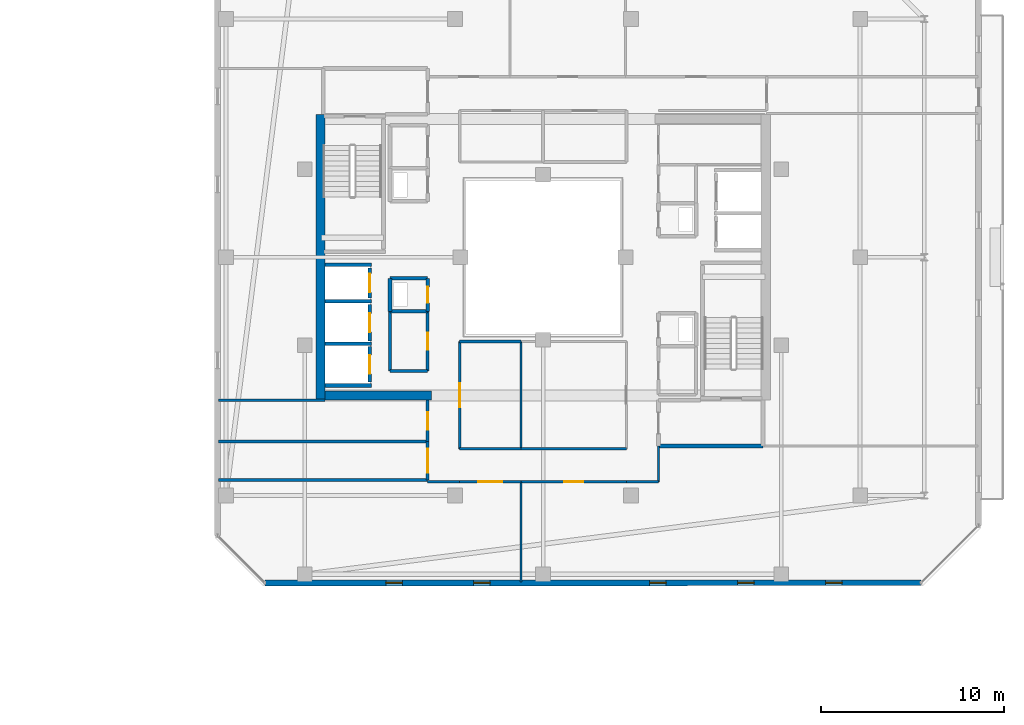
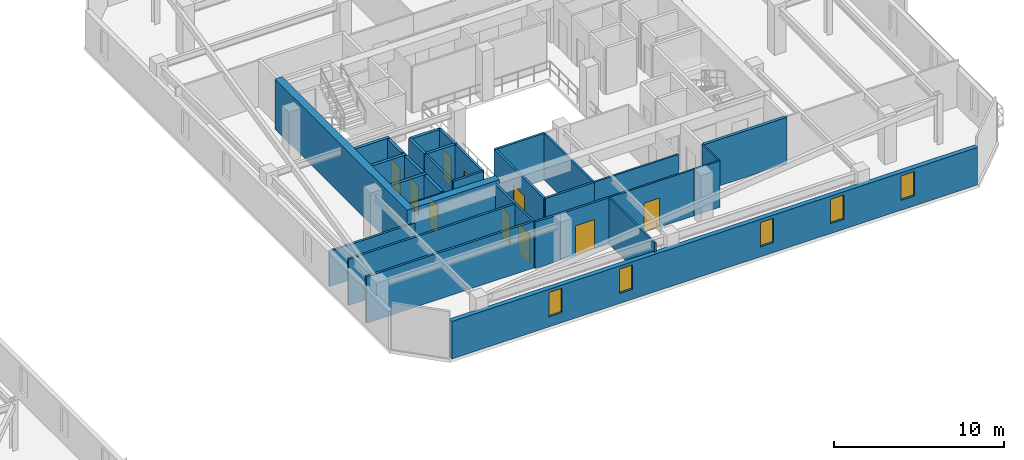
# One storey, part 25 of 35: 34 walls, 10 doors, 5 windows, 15 openings.
"""IFC4 building model written with IfcOpenShell, lengths in metres."""

import ifcopenshell
import ifcopenshell.guid

model = None  # the IFC model being written
_history = None  # IfcOwnerHistory: only IFC2X3 demands one
_inside = {}  # id of a spatial element -> (the spatial element, [elements in it])
_under = {}  # id of a project, library or spatial element -> (it, [spatial elements below it])
_declared = {}  # id of a project -> (the project, [libraries it declares])
_typed = {}  # id of a type object -> (the type object, [elements of that type])
_made_of = {}  # id of a material, layer set ... -> (it, [elements and type objects made of it])


def new_model(schema):
    """Start an empty IFC model of exactly this schema.

    Asked for "IFC4X3", IfcOpenShell would pick the latest addendum, in which some entities
    have other attributes; the version numbers below select the first issue.
    IFC2X3 requires an IfcOwnerHistory on every rooted entity: one is made here for all.
    """
    global model, _history
    if schema == "IFC4X3":
        model = ifcopenshell.file(schema_version=(4, 3, 0, 0))
    else:
        model = ifcopenshell.file(schema=schema)
    _inside.clear()
    _under.clear()
    _declared.clear()
    _typed.clear()
    _made_of.clear()
    _history = None
    if model.schema == "IFC2X3":
        org = make("IfcOrganization", Name="unknown")
        user = make(
            "IfcPersonAndOrganization",
            ThePerson=make("IfcPerson", FamilyName="unknown"),
            TheOrganization=org,
        )
        app = make(
            "IfcApplication",
            ApplicationDeveloper=org,
            Version="unknown",
            ApplicationFullName="unknown",
            ApplicationIdentifier="unknown",
        )
        _history = make(
            "IfcOwnerHistory",
            OwningUser=user,
            OwningApplication=app,
            ChangeAction="ADDED",
            CreationDate=0,
        )
    return model


def make(cls, **values):
    """One entity of the class cls with the attributes given. An attribute that is None is left unset."""
    return model.create_entity(
        cls, **{name: value for name, value in values.items() if value is not None}
    )


def rooted(cls, **values):
    """An entity with a GlobalId (a new one), such as an element, a storey or a relation."""
    return make(cls, GlobalId=ifcopenshell.guid.new(), OwnerHistory=_history, **values)


def si_unit(unit_type, name, prefix=None):
    """IfcSIUnit, for example si_unit("LENGTHUNIT", "METRE", prefix="MILLI")."""
    return make("IfcSIUnit", UnitType=unit_type, Prefix=prefix, Name=name)


def assignment(units):
    """IfcUnitAssignment: the units of a project."""
    return None if units is None else make("IfcUnitAssignment", Units=units)


def point(xyz):
    """IfcCartesianPoint."""
    return None if xyz is None else make("IfcCartesianPoint", Coordinates=xyz)


def direction(xyz):
    """IfcDirection."""
    return None if xyz is None else make("IfcDirection", DirectionRatios=xyz)


def frame(location, z_axis=None, x_axis=None):
    """IfcAxis2Placement3D, a coordinate frame: its origin and axes. An axis left out is left unset."""
    return make(
        "IfcAxis2Placement3D",
        Location=point(location),
        Axis=direction(z_axis),
        RefDirection=direction(x_axis),
    )


def frame_2d(location, x_axis=None):
    """IfcAxis2Placement2D, a coordinate frame in the plane: its origin and x axis."""
    return make(
        "IfcAxis2Placement2D", Location=point(location), RefDirection=direction(x_axis)
    )


def origin():
    """The frame at (0, 0, 0) with its axes left unset."""
    return frame((0.0, 0.0, 0.0))


def place(relative_to, where):
    """IfcLocalPlacement: puts the frame where relative to a parent placement (None: the world)."""
    return make(
        "IfcLocalPlacement", PlacementRelTo=relative_to, RelativePlacement=where
    )


def context(
    kind, dimensions, precision=None, world=None, true_north=None, identifier=None
):
    """IfcGeometricRepresentationContext, for example the 3D "Model" context."""
    return make(
        "IfcGeometricRepresentationContext",
        ContextIdentifier=identifier,
        ContextType=kind,
        CoordinateSpaceDimension=dimensions,
        Precision=precision,
        WorldCoordinateSystem=world,
        TrueNorth=true_north,
    )


def subcontext(parent, identifier, kind, view, scale=None):
    """IfcGeometricRepresentationSubContext, for example "Body" below "Model"."""
    return make(
        "IfcGeometricRepresentationSubContext",
        ContextIdentifier=identifier,
        ContextType=kind,
        ParentContext=parent,
        TargetScale=scale,
        TargetView=view,
    )


def project(units=None, contexts=None):
    """IfcProject with its units and contexts."""
    return rooted(
        "IfcProject",
        Name="project",
        RepresentationContexts=contexts,
        UnitsInContext=assignment(units),
    )


def spatial(cls, under=None, at=None, **own):
    """A site, building, storey or space (cls), placed at a placement, below another one or the project."""
    s = rooted(cls, ObjectPlacement=at, **own)
    if under is not None:
        _under.setdefault(under.id(), (under, []))[1].append(s)
    return s


def profile(cls, at=None, kind="AREA", **sizes):
    """A parametric profile (cls). Its sizes go by their IFC names, for example OverallWidth=200.0."""
    return make(cls, ProfileType=kind, Position=at, **sizes)


def rectangle(**sizes):
    """IfcRectangleProfileDef."""
    return profile("IfcRectangleProfileDef", **sizes)


def extrude(swept, where, along, depth):
    """IfcExtrudedAreaSolid: the profile swept, set in the frame where, extruded along a direction by depth."""
    return make(
        "IfcExtrudedAreaSolid",
        SweptArea=swept,
        Position=where,
        ExtrudedDirection=direction(along),
        Depth=depth,
    )


def shape(context_of_items, identifier, shape_type, items):
    """IfcShapeRepresentation: the items that make up one representation, for example the "Body"."""
    return make(
        "IfcShapeRepresentation",
        ContextOfItems=context_of_items,
        RepresentationIdentifier=identifier,
        RepresentationType=shape_type,
        Items=items,
    )


def material(Name=None, Category=None):
    """IfcMaterial."""
    return make("IfcMaterial", Name=Name, Category=Category)


def layer(
    of_material, thickness, ventilated=None, Name=None, Category=None, Priority=None
):
    """IfcMaterialLayer: one layer of a wall or slab, of a material (None: an air gap)."""
    return make(
        "IfcMaterialLayer",
        Material=of_material,
        LayerThickness=thickness,
        IsVentilated=ventilated,
        Name=Name,
        Category=Category,
        Priority=Priority,
    )


def layer_set(layers, Name=None):
    """IfcMaterialLayerSet."""
    return make("IfcMaterialLayerSet", MaterialLayers=layers, LayerSetName=Name)


def made_of(thing, what):
    """Note that an element or type object is made of a material, layer set ...; save() writes the relation."""
    if what is not None:
        _made_of.setdefault(what.id(), (what, []))[1].append(thing)
    return thing


def type_object(cls, material=None, **own):
    """A type object (cls), such as IfcWallType, which elements share."""
    return made_of(rooted(cls, **own), material)


def element(
    cls,
    number,
    at=None,
    inside=None,
    cuts=None,
    type_object=None,
    material=None,
    context=None,
    identifier="Body",
    shape_type=None,
    held_by="IfcProductDefinitionShape",
    body=None,
    shapes=None,
    **own,
):
    """One element of the class cls, such as IfcWall. Its Tag is "e" and its number.

    at: its placement. inside: the storey or other place that contains it. cuts: it is an
    opening in that element (IfcRelVoidsElement). A single representation is given by context,
    identifier, shape_type and body (its items); several are given by shapes. held_by: the class
    of the entity that holds the representations. save() writes the other relations.
    """
    e = rooted(cls, Tag="e%d" % number, ObjectPlacement=at, **own)
    if body is not None:
        shapes = [shape(context, identifier, shape_type, body)]
    if shapes is not None:
        e.Representation = make(held_by, Representations=shapes)
    if inside is not None:
        _inside.setdefault(inside.id(), (inside, []))[1].append(e)
    if cuts is not None:
        rooted(
            "IfcRelVoidsElement", RelatingBuildingElement=cuts, RelatedOpeningElement=e
        )
    if type_object is not None:
        _typed.setdefault(type_object.id(), (type_object, []))[1].append(e)
    return made_of(e, material)


def fill(opening, filler):
    """IfcRelFillsElement: the door or window that sits in an opening."""
    return rooted(
        "IfcRelFillsElement",
        RelatingOpeningElement=opening,
        RelatedBuildingElement=filler,
    )


def aggregate(whole, parts):
    """IfcRelAggregates: a whole, such as a stair, and the parts it consists of."""
    return rooted("IfcRelAggregates", RelatingObject=whole, RelatedObjects=parts)


def save(model, path):
    """Write the relations noted so far, then the file.

    IfcRelAggregates (storeys below a building ...), IfcRelContainedInSpatialStructure (elements
    in a storey), IfcRelDefinesByType, IfcRelAssociatesMaterial and IfcRelDeclares: one each for
    every whole, place, type object, material and project.
    """
    for whole, parts in _under.values():
        aggregate(whole, parts)
    for where, things in _inside.values():
        rooted(
            "IfcRelContainedInSpatialStructure",
            RelatedElements=things,
            RelatingStructure=where,
        )
    for kind, things in _typed.values():
        rooted("IfcRelDefinesByType", RelatedObjects=things, RelatingType=kind)
    for what, things in _made_of.values():
        rooted("IfcRelAssociatesMaterial", RelatedObjects=things, RelatingMaterial=what)
    for by, libraries in _declared.values():
        rooted("IfcRelDeclares", RelatingContext=by, RelatedDefinitions=libraries)
    model.write(path)


model = new_model("IFC4")

# Units and contexts
model_context = context("Model", 3, precision=1e-05, world=origin(), true_north=direction((0.0, 1.0)))
body_context = subcontext(model_context, "Body", "Model", "MODEL_VIEW")
ifc_project = project(units=[si_unit("LENGTHUNIT", "METRE"), si_unit("AREAUNIT", "SQUARE_METRE"), si_unit("VOLUMEUNIT", "CUBIC_METRE"), si_unit("PLANEANGLEUNIT", "RADIAN"), si_unit("MASSUNIT", "GRAM", prefix="KILO")], contexts=[model_context])

# Site, building, storey
site_placement = place(None, origin())
site = spatial("IfcSite", under=ifc_project, at=site_placement, CompositionType="ELEMENT")
building_placement = place(site_placement, origin())
building = spatial("IfcBuilding", under=site, at=building_placement, Name="Thornwick Lancets Civic Towers", CompositionType="ELEMENT")
storey_placement = place(building_placement, frame((0.0, 0.0, 269.10009765625)))
storey = spatial("IfcBuildingStorey", under=building, at=storey_placement, Name="L72", CompositionType="ELEMENT", Elevation=269.10009765625)

# Wall, opening, door
ifc_material_1 = material(Name="Concrete blockwork C40/50", Category="masonry")
ifc_layer_1 = layer(ifc_material_1, 0.199951171875, Name="Concrete blockwork C40/50")
ifc_layer_set_1 = layer_set([ifc_layer_1], Name="Concrete blockwork C40/50")
wall_type_1 = type_object("IfcWallType", Name="WALL_COMP_200", PredefinedType="STANDARD", material=ifc_layer_set_1)
wall_1_placement = place(storey_placement, frame((79.050048828125, 24.780029296875, 0.0), z_axis=(0.0, 0.0, 1.0), x_axis=(0.0, 1.0, 0.0)))
wall_1 = element("IfcWall", 1, at=wall_1_placement, inside=storey, type_object=wall_type_1, Name="L72 Hoistway Front Wall FL-B2", PredefinedType="STANDARD", context=body_context, shape_type="SweptSolid", body=[
    extrude(rectangle(XDim=1.639892578125, YDim=0.199951171875, at=frame_2d((0.81982421875, 0.0))), origin(), (0.0, 0.0, 1.0), 3.33984375),
])
opening_1_placement = place(wall_1_placement, frame((0.31005859375, 0.0, 0.0)))
opening_1 = element("IfcOpeningElement", 2, at=opening_1_placement, cuts=wall_1, Name="Opening LD-FL-B2", PredefinedType="OPENING", context=body_context, shape_type="SweptSolid", body=[
    extrude(rectangle(XDim=1.02001953125, YDim=2.06005859375, at=frame_2d((0.510009765625, 1.030029296875))), frame((0.0, 0.10986328125, 0.0), z_axis=(0.0, -1.0, 0.0), x_axis=(1.0, 0.0, 0.0)), (0.0, 0.0, 1.0), 0.219970703125),
])
ifc_material_2 = material(Name="Brushed bronze stainless steel", Category="steel")
door_type_1 = type_object("IfcDoorType", Name="DOOR_LIFT_SLIDE", OperationType="SLIDING_TO_LEFT", PredefinedType="DOOR", material=ifc_material_2)
door_1_placement = place(opening_1_placement, origin())
door_1 = element("IfcDoor", 3, at=door_1_placement, inside=storey, type_object=door_type_1, Name="L72 Sliding Lift Landing Door LD-FL-B2", OperationType="SLIDING_TO_LEFT", OverallHeight=2.06005859375, OverallWidth=1.02001953125, PredefinedType="DOOR", context=body_context, shape_type="SweptSolid", body=[
    extrude(rectangle(XDim=1.02001953125, YDim=2.06005859375, at=frame_2d((0.510009765625, 1.030029296875))), frame((0.0, 0.02490234375, 0.0), z_axis=(0.0, -1.0, 0.0), x_axis=(1.0, 0.0, 0.0)), (0.0, 0.0, 1.0), 0.050048828125),
])
fill(opening_1, door_1)

wall_2_placement = place(storey_placement, frame((79.050048828125, 22.429931640625, 0.0), z_axis=(0.0, 0.0, 1.0), x_axis=(0.0, 1.0, 0.0)))
wall_2 = element("IfcWall", 4, at=wall_2_placement, inside=storey, type_object=wall_type_1, Name="L72 Hoistway Front Wall PL-BH2", PredefinedType="STANDARD", context=body_context, shape_type="SweptSolid", body=[
    extrude(rectangle(XDim=1.989990234375, YDim=0.199951171875, at=frame_2d((0.9951171875, 0.0))), origin(), (0.0, 0.0, 1.0), 3.33984375),
])
opening_2_placement = place(wall_2_placement, frame((0.485107421875, 0.0, 0.0)))
opening_2 = element("IfcOpeningElement", 5, at=opening_2_placement, cuts=wall_2, Name="Opening LD-PL-BH2", PredefinedType="OPENING", context=body_context, shape_type="SweptSolid", body=[
    extrude(rectangle(XDim=1.02001953125, YDim=2.06005859375, at=frame_2d((0.510009765625, 1.030029296875))), frame((0.0, 0.10986328125, 0.0), z_axis=(0.0, -1.0, 0.0), x_axis=(1.0, 0.0, 0.0)), (0.0, 0.0, 1.0), 0.219970703125),
])
door_2_placement = place(opening_2_placement, origin())
door_2 = element("IfcDoor", 6, at=door_2_placement, inside=storey, type_object=door_type_1, Name="L72 Sliding Lift Landing Door LD-PL-BH2", OperationType="SLIDING_TO_LEFT", OverallHeight=2.06005859375, OverallWidth=1.02001953125, PredefinedType="DOOR", context=body_context, shape_type="SweptSolid", body=[
    extrude(rectangle(XDim=1.02001953125, YDim=2.06005859375, at=frame_2d((0.510009765625, 1.030029296875))), frame((0.0, 0.02490234375, 0.0), z_axis=(0.0, -1.0, 0.0), x_axis=(1.0, 0.0, 0.0)), (0.0, 0.0, 1.0), 0.050048828125),
])
fill(opening_2, door_2)

wall_3_placement = place(storey_placement, frame((79.050048828125, 20.179931640625, 0.0), z_axis=(0.0, 0.0, 1.0), x_axis=(0.0, 1.0, 0.0)))
wall_3 = element("IfcWall", 7, at=wall_3_placement, inside=storey, type_object=wall_type_1, Name="L72 Hoistway Front Wall PL-BH3", PredefinedType="STANDARD", context=body_context, shape_type="SweptSolid", body=[
    extrude(rectangle(XDim=1.940185546875, YDim=0.199951171875, at=frame_2d((0.97021484375, 0.0))), origin(), (0.0, 0.0, 1.0), 3.33984375),
])
opening_3_placement = place(wall_3_placement, frame((0.4599609375, 0.0, 0.0)))
opening_3 = element("IfcOpeningElement", 8, at=opening_3_placement, cuts=wall_3, Name="Opening LD-PL-BH3", PredefinedType="OPENING", context=body_context, shape_type="SweptSolid", body=[
    extrude(rectangle(XDim=1.02001953125, YDim=2.06005859375, at=frame_2d((0.510009765625, 1.030029296875))), frame((0.0, 0.10986328125, 0.0), z_axis=(0.0, -1.0, 0.0), x_axis=(1.0, 0.0, 0.0)), (0.0, 0.0, 1.0), 0.219970703125),
])
door_3_placement = place(opening_3_placement, origin())
door_3 = element("IfcDoor", 9, at=door_3_placement, inside=storey, type_object=door_type_1, Name="L72 Sliding Lift Landing Door LD-PL-BH3", OperationType="SLIDING_TO_LEFT", OverallHeight=2.06005859375, OverallWidth=1.02001953125, PredefinedType="DOOR", context=body_context, shape_type="SweptSolid", body=[
    extrude(rectangle(XDim=1.02001953125, YDim=2.06005859375, at=frame_2d((0.510009765625, 1.030029296875))), frame((0.0, 0.02490234375, 0.0), z_axis=(0.0, -1.0, 0.0), x_axis=(1.0, 0.0, 0.0)), (0.0, 0.0, 1.0), 0.050048828125),
])
fill(opening_3, door_3)

# Walls
for number, where, z_axis, x_axis, name in (
    (10, (76.612060546875, 26.60009765625, 0.0), (0.0, 0.0, 1.0), (1.0, 0.0, 0.0), "L72 Hoistway Shaft Wall FL-B2 N"),
    (11, (76.612060546875, 24.60009765625, 0.0), (0.0, 0.0, 1.0), (1.0, 0.0, 0.0), "L72 Hoistway Shaft Wall FL-B2 S"),
    (12, (76.612060546875, 22.27490234375, 0.0), (0.0, 0.0, 1.0), (1.0, 0.0, 0.0), "L72 Hoistway Shaft Wall PL-BH2 S"),
    (13, (76.612060546875, 20.0, 0.0), (0.0, 0.0, 1.0), (1.0, 0.0, 0.0), "L72 Hoistway Shaft Wall PL-BH3 S"),
):
    element("IfcWall", number, at=place(storey_placement, frame(where, z_axis=z_axis, x_axis=x_axis)), inside=storey, type_object=wall_type_1, Name=name, PredefinedType="STANDARD", context=body_context, shape_type="SweptSolid", body=[
        extrude(rectangle(XDim=2.535888671875, YDim=0.199951171875, at=frame_2d((1.26806640625, 0.0))), origin(), (0.0, 0.0, 1.0), 3.33984375),
    ])
wall_4_placement = place(storey_placement, frame((94.800048828125, 16.699951171875, 0.0), z_axis=(0.0, 0.0, 1.0), x_axis=(1.0, 0.0, 0.0)))
element("IfcWall", 14, at=wall_4_placement, inside=storey, type_object=wall_type_1, Name="L72 Partition L72-B-FFLOB1 E1", PredefinedType="STANDARD", context=body_context, shape_type="SweptSolid", body=[
    extrude(rectangle(XDim=5.699951171875, YDim=0.199951171875, at=frame_2d((2.85009765625, 0.0))), origin(), (0.0, 0.0, 1.0), 3.33984375),
])
wall_5_placement = place(storey_placement, frame((80.14990234375, 24.050048828125, 0.0), z_axis=(0.0, 0.0, 1.0), x_axis=(1.0, 0.0, 0.0)))
element("IfcWall", 15, at=wall_5_placement, inside=storey, type_object=wall_type_1, Name="L72 Partition L72-B-DUCT2 E1", PredefinedType="STANDARD", context=body_context, shape_type="SweptSolid", body=[
    extrude(rectangle(XDim=2.050048828125, YDim=0.199951171875, at=frame_2d((1.02490234375, 0.0))), origin(), (0.0, 0.0, 1.0), 3.33984375),
])

# Wall, opening, door
wall_6_placement = place(storey_placement, frame((82.199951171875, 24.050048828125, 0.0), z_axis=(0.0, 0.0, 1.0), x_axis=(0.0, 1.0, 0.0)))
wall_6 = element("IfcWall", 16, at=wall_6_placement, inside=storey, type_object=wall_type_1, Name="L72 Partition L72-B-DUCT2 E2", PredefinedType="STANDARD", context=body_context, shape_type="SweptSolid", body=[
    extrude(rectangle(XDim=1.800048828125, YDim=0.199951171875, at=frame_2d((0.89990234375, 0.0))), origin(), (0.0, 0.0, 1.0), 3.33984375),
])
opening_4_placement = place(wall_6_placement, frame((0.4599609375, 0.0, 0.0)))
opening_4 = element("IfcOpeningElement", 17, at=opening_4_placement, cuts=wall_6, Name="Opening D-L72-3292", PredefinedType="OPENING", context=body_context, shape_type="SweptSolid", body=[
    extrude(rectangle(XDim=0.8798828125, YDim=2.0400390625, at=frame_2d((0.43994140625, 1.02001953125))), frame((0.0, 0.10986328125, 0.0), z_axis=(0.0, -1.0, 0.0), x_axis=(1.0, 0.0, 0.0)), (0.0, 0.0, 1.0), 0.219970703125),
])
ifc_material_3 = material(Name="Steel riser access doorset", Category="steel")
door_type_2 = type_object("IfcDoorType", Name="DOOR_RISER_850", OperationType="NOTDEFINED", PredefinedType="DOOR", material=ifc_material_3)
door_4_placement = place(opening_4_placement, origin())
door_4 = element("IfcDoor", 18, at=door_4_placement, inside=storey, type_object=door_type_2, Name="L72 West Service Duct 2 Door", OperationType="SINGLE_SWING_LEFT", OverallHeight=2.0400390625, OverallWidth=0.8798828125, PredefinedType="DOOR", context=body_context, shape_type="SweptSolid", body=[
    extrude(rectangle(XDim=0.8798828125, YDim=2.0400390625, at=frame_2d((0.43994140625, 1.02001953125))), frame((0.0, 0.02490234375, 0.0), z_axis=(0.0, -1.0, 0.0), x_axis=(1.0, 0.0, 0.0)), (0.0, 0.0, 1.0), 0.050048828125),
])
fill(opening_4, door_4)

# Walls
wall_7_placement = place(storey_placement, frame((82.199951171875, 25.85009765625, 0.0), z_axis=(0.0, 0.0, 1.0), x_axis=(-1.0, 0.0, 0.0)))
element("IfcWall", 19, at=wall_7_placement, inside=storey, type_object=wall_type_1, Name="L72 Partition L72-B-DUCT2 E3", PredefinedType="STANDARD", context=body_context, shape_type="SweptSolid", body=[
    extrude(rectangle(XDim=2.050048828125, YDim=0.199951171875, at=frame_2d((1.02490234375, 0.0))), origin(), (0.0, 0.0, 1.0), 3.33984375),
])
wall_8_placement = place(storey_placement, frame((80.14990234375, 25.85009765625, 0.0), z_axis=(0.0, 0.0, 1.0), x_axis=(0.0, -1.0, 0.0)))
element("IfcWall", 20, at=wall_8_placement, inside=storey, type_object=wall_type_1, Name="L72 Partition L72-B-DUCT2 E4", PredefinedType="STANDARD", context=body_context, shape_type="SweptSolid", body=[
    extrude(rectangle(XDim=1.800048828125, YDim=0.199951171875, at=frame_2d((0.89990234375, 0.0))), origin(), (0.0, 0.0, 1.0), 3.33984375),
])
ifc_material_4 = material(Name="Concrete C50/60", Category="concrete")
ifc_layer_2 = layer(ifc_material_4, 0.5, Name="Concrete C50/60")
ifc_layer_set_2 = layer_set([ifc_layer_2], Name="Concrete C50/60")
wall_type_2 = type_object("IfcWallType", Name="WALL_CORE_500", PredefinedType="SHEAR", material=ifc_layer_set_2)
wall_9_placement = place(storey_placement, frame((76.35009765625, 19.199951171875, 0.0), z_axis=(0.0, 0.0, 1.0), x_axis=(0.0, 1.0, 0.0)))
element("IfcWall", 21, at=wall_9_placement, inside=storey, type_object=wall_type_2, Name="L72 Split Core B2 Shear Wall W", PredefinedType="SHEAR", context=body_context, shape_type="SweptSolid", body=[
    extrude(rectangle(XDim=15.60009765625, YDim=0.5, at=frame_2d((7.800048828125, 0.0))), origin(), (0.0, 0.0, 1.0), 3.599853515625),
])
wall_10_placement = place(storey_placement, frame((76.60009765625, 19.449951171875, 0.0), z_axis=(0.0, 0.0, 1.0), x_axis=(1.0, 0.0, 0.0)))
element("IfcWall", 22, at=wall_10_placement, inside=storey, type_object=wall_type_2, Name="L72 Split Core B2 Shear Wall S", PredefinedType="SHEAR", context=body_context, shape_type="SweptSolid", body=[
    extrude(rectangle(XDim=5.7998046875, YDim=0.5, at=frame_2d((2.89990234375, 0.0))), origin(), (0.0, 0.0, 1.0), 3.599853515625),
])

# Wall, openings, windows
ifc_material_5 = material(Name="Insulated buff terracotta rainscreen on concrete C40/50", Category="masonry")
ifc_layer_3 = layer(ifc_material_5, 0.320068359375, Name="Insulated buff terracotta rainscreen on concrete C40/50")
ifc_layer_set_3 = layer_set([ifc_layer_3], Name="Insulated buff terracotta rainscreen on concrete C40/50")
wall_type_3 = type_object("IfcWallType", Name="WALL_EXT_TERRA_320", PredefinedType="STANDARD", material=ifc_layer_set_3)
wall_11_placement = place(storey_placement, frame((73.318603515625, 9.2353515625, 0.0), z_axis=(0.0, 0.0, 1.0), x_axis=(0.999999998513, 5.4540124e-05, 0.0)))
wall_11 = element("IfcWall", 23, at=wall_11_placement, inside=storey, type_object=wall_type_3, Name="L72 Tower B Terracotta Facade Wall E0", PredefinedType="STANDARD", context=body_context, shape_type="SweptSolid", body=[
    extrude(rectangle(XDim=35.810791015625, YDim=0.320068359375, at=frame_2d((17.9052734375, 0.0))), origin(), (0.0, 0.0, 1.0), 2.699951171875),
])
opening_5_placement = place(wall_11_placement, frame((6.60009765625, 0.0, 0.719970703125)))
opening_5 = element("IfcOpeningElement", 24, at=opening_5_placement, cuts=wall_11, Name="Opening WL-01", PredefinedType="OPENING", context=body_context, shape_type="SweptSolid", body=[
    extrude(rectangle(XDim=0.89990234375, YDim=1.75, at=frame_2d((0.449951171875, 0.875))), frame((0.0, 0.169921875, 0.0), z_axis=(0.0, -1.0, 0.0), x_axis=(1.0, 0.0, 0.0)), (0.0, 0.0, 1.0), 0.340087890625),
])
opening_6_placement = place(wall_11_placement, frame((11.39990234375, 0.0, 0.719970703125)))
opening_6 = element("IfcOpeningElement", 25, at=opening_6_placement, cuts=wall_11, Name="Opening WL-01", PredefinedType="OPENING", context=body_context, shape_type="SweptSolid", body=[
    extrude(rectangle(XDim=0.89990234375, YDim=1.75, at=frame_2d((0.449951171875, 0.875))), frame((0.0, 0.169921875, 0.0), z_axis=(0.0, -1.0, 0.0), x_axis=(1.0, 0.0, 0.0)), (0.0, 0.0, 1.0), 0.340087890625),
])
opening_7_placement = place(wall_11_placement, frame((21.0, 0.0, 0.719970703125)))
opening_7 = element("IfcOpeningElement", 26, at=opening_7_placement, cuts=wall_11, Name="Opening WL-01", PredefinedType="OPENING", context=body_context, shape_type="SweptSolid", body=[
    extrude(rectangle(XDim=0.89990234375, YDim=1.75, at=frame_2d((0.449951171875, 0.875))), frame((0.0, 0.169921875, 0.0), z_axis=(0.0, -1.0, 0.0), x_axis=(1.0, 0.0, 0.0)), (0.0, 0.0, 1.0), 0.340087890625),
])
opening_8_placement = place(wall_11_placement, frame((25.800048828125, 0.0, 0.719970703125)))
opening_8 = element("IfcOpeningElement", 27, at=opening_8_placement, cuts=wall_11, Name="Opening WL-01", PredefinedType="OPENING", context=body_context, shape_type="SweptSolid", body=[
    extrude(rectangle(XDim=0.89990234375, YDim=1.75, at=frame_2d((0.449951171875, 0.875))), frame((0.0, 0.169921875, 0.0), z_axis=(0.0, -1.0, 0.0), x_axis=(1.0, 0.0, 0.0)), (0.0, 0.0, 1.0), 0.340087890625),
])
opening_9_placement = place(wall_11_placement, frame((30.60009765625, 0.0, 0.719970703125)))
opening_9 = element("IfcOpeningElement", 28, at=opening_9_placement, cuts=wall_11, Name="Opening WL-01", PredefinedType="OPENING", context=body_context, shape_type="SweptSolid", body=[
    extrude(rectangle(XDim=0.89990234375, YDim=1.75, at=frame_2d((0.449951171875, 0.875))), frame((0.0, 0.169921875, 0.0), z_axis=(0.0, -1.0, 0.0), x_axis=(1.0, 0.0, 0.0)), (0.0, 0.0, 1.0), 0.340087890625),
])
ifc_material_6 = material(Name="Clear low-e double glazing in bronze frame", Category="glass")
window_type = type_object("IfcWindowType", Name="WIN_LANCET_900", PartitioningType="SINGLE_PANEL", PredefinedType="WINDOW", material=ifc_material_6)
window_1_placement = place(opening_5_placement, origin())
window_1 = element("IfcWindow", 29, at=window_1_placement, inside=storey, type_object=window_type, Name="L72 Tower B Staggered Lancet Window E0-1", OverallHeight=1.75, OverallWidth=0.89990234375, PartitioningType="SINGLE_PANEL", PredefinedType="WINDOW", context=body_context, shape_type="SweptSolid", body=[
    extrude(rectangle(XDim=0.89990234375, YDim=1.75, at=frame_2d((0.449951171875, 0.875))), frame((0.0, 0.030029296875, 0.0), z_axis=(0.0, -1.0, 0.0), x_axis=(1.0, 0.0, 0.0)), (0.0, 0.0, 1.0), 0.06005859375),
])
fill(opening_5, window_1)
window_2_placement = place(opening_6_placement, origin())
window_2 = element("IfcWindow", 30, at=window_2_placement, inside=storey, type_object=window_type, Name="L72 Tower B Staggered Lancet Window E0-2", OverallHeight=1.75, OverallWidth=0.89990234375, PartitioningType="SINGLE_PANEL", PredefinedType="WINDOW", context=body_context, shape_type="SweptSolid", body=[
    extrude(rectangle(XDim=0.89990234375, YDim=1.75, at=frame_2d((0.449951171875, 0.875))), frame((0.0, 0.030029296875, 0.0), z_axis=(0.0, -1.0, 0.0), x_axis=(1.0, 0.0, 0.0)), (0.0, 0.0, 1.0), 0.06005859375),
])
fill(opening_6, window_2)
window_3_placement = place(opening_7_placement, origin())
window_3 = element("IfcWindow", 31, at=window_3_placement, inside=storey, type_object=window_type, Name="L72 Tower B Staggered Lancet Window E0-3", OverallHeight=1.75, OverallWidth=0.89990234375, PartitioningType="SINGLE_PANEL", PredefinedType="WINDOW", context=body_context, shape_type="SweptSolid", body=[
    extrude(rectangle(XDim=0.89990234375, YDim=1.75, at=frame_2d((0.449951171875, 0.875))), frame((0.0, 0.030029296875, 0.0), z_axis=(0.0, -1.0, 0.0), x_axis=(1.0, 0.0, 0.0)), (0.0, 0.0, 1.0), 0.06005859375),
])
fill(opening_7, window_3)
window_4_placement = place(opening_8_placement, origin())
window_4 = element("IfcWindow", 32, at=window_4_placement, inside=storey, type_object=window_type, Name="L72 Tower B Staggered Lancet Window E0-4", OverallHeight=1.75, OverallWidth=0.89990234375, PartitioningType="SINGLE_PANEL", PredefinedType="WINDOW", context=body_context, shape_type="SweptSolid", body=[
    extrude(rectangle(XDim=0.89990234375, YDim=1.75, at=frame_2d((0.449951171875, 0.875))), frame((0.0, 0.030029296875, 0.0), z_axis=(0.0, -1.0, 0.0), x_axis=(1.0, 0.0, 0.0)), (0.0, 0.0, 1.0), 0.06005859375),
])
fill(opening_8, window_4)
window_5_placement = place(opening_9_placement, origin())
window_5 = element("IfcWindow", 33, at=window_5_placement, inside=storey, type_object=window_type, Name="L72 Tower B Staggered Lancet Window E0-5", OverallHeight=1.75, OverallWidth=0.89990234375, PartitioningType="SINGLE_PANEL", PredefinedType="WINDOW", context=body_context, shape_type="SweptSolid", body=[
    extrude(rectangle(XDim=0.89990234375, YDim=1.75, at=frame_2d((0.449951171875, 0.875))), frame((0.0, 0.030029296875, 0.0), z_axis=(0.0, -1.0, 0.0), x_axis=(1.0, 0.0, 0.0)), (0.0, 0.0, 1.0), 0.06005859375),
])
fill(opening_9, window_5)

# Wall
ifc_material_7 = material(Name="Acoustic gypsum board partition")
ifc_layer_4 = layer(ifc_material_7, 0.1201171875, Name="Acoustic gypsum board partition")
ifc_layer_set_4 = layer_set([ifc_layer_4], Name="Acoustic gypsum board partition")
wall_type_4 = type_object("IfcWallType", Name="WALL_PART_120", PredefinedType="PARTITIONING", material=ifc_layer_set_4)
wall_12_placement = place(storey_placement, frame((87.300048828125, 9.280029296875, 0.0), z_axis=(0.0, 0.0, 1.0), x_axis=(0.0, 1.0, 0.0)))
element("IfcWall", 34, at=wall_12_placement, inside=storey, type_object=wall_type_4, Name="L72 Partition L72-B-W1 E2", PredefinedType="PARTITIONING", context=body_context, shape_type="SweptSolid", body=[
    extrude(rectangle(XDim=5.469970703125, YDim=0.1201171875, at=frame_2d((2.73486328125, 0.0))), origin(), (0.0, 0.0, 1.0), 3.33984375),
])

# Wall, opening, door
wall_13_placement = place(storey_placement, frame((87.300048828125, 14.75, 0.0), z_axis=(0.0, 0.0, 1.0), x_axis=(1.0, 0.0, 0.0)))
wall_13 = element("IfcWall", 35, at=wall_13_placement, inside=storey, type_object=wall_type_4, Name="L72 Partition L72-B-W1 E3", PredefinedType="PARTITIONING", context=body_context, shape_type="SweptSolid", body=[
    extrude(rectangle(XDim=5.75, YDim=0.1201171875, at=frame_2d((2.875, 0.0))), origin(), (0.0, 0.0, 1.0), 3.33984375),
])
opening_10_placement = place(wall_13_placement, frame((2.35009765625, 0.0, 0.0)))
opening_10 = element("IfcOpeningElement", 36, at=opening_10_placement, cuts=wall_13, Name="Opening D-L72-3314", PredefinedType="OPENING", context=body_context, shape_type="SweptSolid", body=[
    extrude(rectangle(XDim=1.050048828125, YDim=2.10009765625, at=frame_2d((0.52490234375, 1.050048828125))), frame((0.0, 0.070068359375, 0.0), z_axis=(0.0, -1.0, 0.0), x_axis=(1.0, 0.0, 0.0)), (0.0, 0.0, 1.0), 0.14013671875),
])
ifc_material_8 = material(Name="Glazed European oak executive doorset")
door_type_3 = type_object("IfcDoorType", Name="DOOR_OFFICE_1050", OperationType="NOTDEFINED", PredefinedType="DOOR", material=ifc_material_8)
door_5_placement = place(opening_10_placement, origin())
door_5 = element("IfcDoor", 37, at=door_5_placement, inside=storey, type_object=door_type_3, Name="L72 Tower B Ministry Directorate Office W1 Door", OperationType="SINGLE_SWING_LEFT", OverallHeight=2.10009765625, OverallWidth=1.050048828125, PredefinedType="DOOR", context=body_context, shape_type="SweptSolid", body=[
    extrude(rectangle(XDim=1.050048828125, YDim=2.10009765625, at=frame_2d((0.52490234375, 1.050048828125))), frame((0.0, 0.02490234375, 0.0), z_axis=(0.0, -1.0, 0.0), x_axis=(1.0, 0.0, 0.0)), (0.0, 0.0, 1.0), 0.050048828125),
])
fill(opening_10, door_5)

# Walls
wall_14_placement = place(storey_placement, frame((93.050048828125, 14.75, 0.0), z_axis=(0.0, 0.0, 1.0), x_axis=(1.0, 0.0, 0.0)))
element("IfcWall", 38, at=wall_14_placement, inside=storey, type_object=wall_type_4, Name="L72 Partition L72-B-W1 E4", PredefinedType="PARTITIONING", context=body_context, shape_type="SweptSolid", body=[
    extrude(rectangle(XDim=1.75, YDim=0.1201171875, at=frame_2d((0.875, 0.0))), origin(), (0.0, 0.0, 1.0), 3.33984375),
])
wall_15_placement = place(storey_placement, frame((94.800048828125, 14.75, 0.0), z_axis=(0.0, 0.0, 1.0), x_axis=(0.0, 1.0, 0.0)))
element("IfcWall", 39, at=wall_15_placement, inside=storey, type_object=wall_type_4, Name="L72 Partition L72-B-W1 E5", PredefinedType="PARTITIONING", context=body_context, shape_type="SweptSolid", body=[
    extrude(rectangle(XDim=1.949951171875, YDim=0.1201171875, at=frame_2d((0.97509765625, 0.0))), origin(), (0.0, 0.0, 1.0), 3.33984375),
])
wall_16_placement = place(storey_placement, frame((87.300048828125, 16.550048828125, 0.0), z_axis=(0.0, 0.0, 1.0), x_axis=(0.0, 1.0, 0.0)))
element("IfcWall", 40, at=wall_16_placement, inside=storey, type_object=wall_type_4, Name="L72 Partition L72-B-W3 E1", PredefinedType="PARTITIONING", context=body_context, shape_type="SweptSolid", body=[
    extrude(rectangle(XDim=5.849853515625, YDim=0.1201171875, at=frame_2d((2.9248046875, 0.0))), origin(), (0.0, 0.0, 1.0), 3.33984375),
])
wall_17_placement = place(storey_placement, frame((93.050048828125, 16.550048828125, 0.0), z_axis=(0.0, 0.0, 1.0), x_axis=(-1.0, 0.0, 0.0)))
element("IfcWall", 41, at=wall_17_placement, inside=storey, type_object=wall_type_4, Name="L72 Partition L72-B-W3 E4", PredefinedType="PARTITIONING", context=body_context, shape_type="SweptSolid", body=[
    extrude(rectangle(XDim=5.75, YDim=0.1201171875, at=frame_2d((2.875, 0.0))), origin(), (0.0, 0.0, 1.0), 3.33984375),
])
ifc_material_9 = material(Name="Twin-stud acoustic gypsum board")
ifc_layer_5 = layer(ifc_material_9, 0.14990234375, Name="Twin-stud acoustic gypsum board")
ifc_layer_set_5 = layer_set([ifc_layer_5], Name="Twin-stud acoustic gypsum board")
wall_type_5 = type_object("IfcWallType", Name="WALL_PART_150", PredefinedType="PARTITIONING", material=ifc_layer_set_5)
wall_18_placement = place(storey_placement, frame((82.199951171875, 20.800048828125, 0.0), z_axis=(0.0, 0.0, 1.0), x_axis=(-1.0, 0.0, 0.0)))
element("IfcWall", 42, at=wall_18_placement, inside=storey, type_object=wall_type_5, Name="L72 Partition L72-B-FWC E1", PredefinedType="PARTITIONING", context=body_context, shape_type="SweptSolid", body=[
    extrude(rectangle(XDim=2.050048828125, YDim=0.14990234375, at=frame_2d((1.02490234375, 0.0))), origin(), (0.0, 0.0, 1.0), 3.33984375),
])
wall_19_placement = place(storey_placement, frame((80.14990234375, 20.800048828125, 0.0), z_axis=(0.0, 0.0, 1.0), x_axis=(0.0, 1.0, 0.0)))
element("IfcWall", 43, at=wall_19_placement, inside=storey, type_object=wall_type_5, Name="L72 Partition L72-B-FWC E2", PredefinedType="PARTITIONING", context=body_context, shape_type="SweptSolid", body=[
    extrude(rectangle(XDim=3.25, YDim=0.14990234375, at=frame_2d((1.625, 0.0))), origin(), (0.0, 0.0, 1.0), 3.33984375),
])

# Wall, opening, door
wall_20_placement = place(storey_placement, frame((82.199951171875, 24.050048828125, 0.0), z_axis=(0.0, 0.0, 1.0), x_axis=(0.0, -1.0, 0.0)))
wall_20 = element("IfcWall", 44, at=wall_20_placement, inside=storey, type_object=wall_type_5, Name="L72 Partition L72-B-FWC E4", PredefinedType="PARTITIONING", context=body_context, shape_type="SweptSolid", body=[
    extrude(rectangle(XDim=3.25, YDim=0.14990234375, at=frame_2d((1.625, 0.0))), origin(), (0.0, 0.0, 1.0), 3.33984375),
])
opening_11_placement = place(wall_20_placement, frame((1.1650390625, 0.0, 0.0)))
opening_11 = element("IfcOpeningElement", 45, at=opening_11_placement, cuts=wall_20, Name="Opening D-L72-3297", PredefinedType="OPENING", context=body_context, shape_type="SweptSolid", body=[
    extrude(rectangle(XDim=0.919921875, YDim=2.080078125, at=frame_2d((0.4599609375, 1.0400390625))), frame((0.0, 0.0849609375, 0.0), z_axis=(0.0, -1.0, 0.0), x_axis=(1.0, 0.0, 0.0)), (0.0, 0.0, 1.0), 0.169921875),
])
ifc_material_10 = material(Name="Moisture-resistant oak doorset")
door_type_4 = type_object("IfcDoorType", Name="DOOR_WC_900", OperationType="NOTDEFINED", PredefinedType="DOOR", material=ifc_material_10)
door_6_placement = place(opening_11_placement, origin())
door_6 = element("IfcDoor", 46, at=door_6_placement, inside=storey, type_object=door_type_4, Name="L72 Tower B Female WC Door", OperationType="SINGLE_SWING_RIGHT", OverallHeight=2.080078125, OverallWidth=0.919921875, PredefinedType="DOOR", context=body_context, shape_type="SweptSolid", body=[
    extrude(rectangle(XDim=0.919921875, YDim=2.080078125, at=frame_2d((0.4599609375, 1.0400390625))), frame((0.0, 0.02490234375, 0.0), z_axis=(0.0, -1.0, 0.0), x_axis=(1.0, 0.0, 0.0)), (0.0, 0.0, 1.0), 0.050048828125),
])
fill(opening_11, door_6)

# Walls
for number, where, z_axis, x_axis, name in (
    (47, (82.199951171875, 14.85009765625, 0.0), (0.0, 0.0, 1.0), (-1.0, 0.0, 0.0), "L72 Partition L72-B-RECLAIM-M1 E1"),
    (48, (70.780029296875, 16.949951171875, 0.0), (0.0, 0.0, 1.0), (1.0, 0.0, 0.0), "L72 Partition L72-B-RECLAIM-M1 E3"),
):
    element("IfcWall", number, at=place(storey_placement, frame(where, z_axis=z_axis, x_axis=x_axis)), inside=storey, type_object=wall_type_5, Name=name, PredefinedType="PARTITIONING", context=body_context, shape_type="SweptSolid", body=[
        extrude(rectangle(XDim=11.419921875, YDim=0.14990234375, at=frame_2d((5.7099609375, 0.0))), origin(), (0.0, 0.0, 1.0), 3.33984375),
    ])

# Wall, opening, door
wall_21_placement = place(storey_placement, frame((82.199951171875, 16.949951171875, 0.0), z_axis=(0.0, 0.0, 1.0), x_axis=(0.0, -1.0, 0.0)))
wall_21 = element("IfcWall", 49, at=wall_21_placement, inside=storey, type_object=wall_type_5, Name="L72 Partition L72-B-RECLAIM-M1 E4", PredefinedType="PARTITIONING", context=body_context, shape_type="SweptSolid", body=[
    extrude(rectangle(XDim=2.099853515625, YDim=0.14990234375, at=frame_2d((1.0498046875, 0.0))), origin(), (0.0, 0.0, 1.0), 3.33984375),
])
opening_12_placement = place(wall_21_placement, frame((0.39990234375, 0.0, 0.0)))
opening_12 = element("IfcOpeningElement", 50, at=opening_12_placement, cuts=wall_21, Name="Opening D-L72-3312", PredefinedType="OPENING", context=body_context, shape_type="SweptSolid", body=[
    extrude(rectangle(XDim=1.300048828125, YDim=2.1201171875, at=frame_2d((0.64990234375, 1.06005859375))), frame((0.0, 0.0849609375, 0.0), z_axis=(0.0, -1.0, 0.0), x_axis=(1.0, 0.0, 0.0)), (0.0, 0.0, 1.0), 0.169921875),
])
ifc_material_11 = material(Name="Acoustic oak leaf-and-a-half doorset")
door_type_5 = type_object("IfcDoorType", Name="DOOR_MEET_1300", OperationType="DOUBLE_DOOR_SINGLE_SWING", PredefinedType="DOOR", material=ifc_material_11)
door_7_placement = place(opening_12_placement, origin())
door_7 = element("IfcDoor", 51, at=door_7_placement, inside=storey, type_object=door_type_5, Name="L72 Tower B Diplomatic Conference Room Door", OperationType="DOUBLE_DOOR_SINGLE_SWING", OverallHeight=2.1201171875, OverallWidth=1.300048828125, PredefinedType="DOOR", context=body_context, shape_type="SweptSolid", body=[
    extrude(rectangle(XDim=1.300048828125, YDim=2.1201171875, at=frame_2d((0.64990234375, 1.06005859375))), frame((0.0, 0.02490234375, 0.0), z_axis=(0.0, -1.0, 0.0), x_axis=(1.0, 0.0, 0.0)), (0.0, 0.0, 1.0), 0.050048828125),
])
fill(opening_12, door_7)

# Wall
wall_22_placement = place(storey_placement, frame((70.780029296875, 19.199951171875, 0.0), z_axis=(0.0, 0.0, 1.0), x_axis=(1.0, 0.0, 0.0)))
element("IfcWall", 52, at=wall_22_placement, inside=storey, type_object=wall_type_5, Name="L72 Partition L72-B-RECLAIM-M2 E3", PredefinedType="PARTITIONING", context=body_context, shape_type="SweptSolid", body=[
    extrude(rectangle(XDim=5.820068359375, YDim=0.14990234375, at=frame_2d((2.91015625, 0.0))), origin(), (0.0, 0.0, 1.0), 2.544921875),
])

# Wall, opening, door
wall_23_placement = place(storey_placement, frame((82.199951171875, 19.199951171875, 0.0), z_axis=(0.0, 0.0, 1.0), x_axis=(0.0, -1.0, 0.0)))
wall_23 = element("IfcWall", 53, at=wall_23_placement, inside=storey, type_object=wall_type_5, Name="L72 Partition L72-B-RECLAIM-M2 E4", PredefinedType="PARTITIONING", context=body_context, shape_type="SweptSolid", body=[
    extrude(rectangle(XDim=2.25, YDim=0.14990234375, at=frame_2d((1.125, 0.0))), origin(), (0.0, 0.0, 1.0), 3.33984375),
])
opening_13_placement = place(wall_23_placement, frame((0.64990234375, 0.0, 0.0)))
opening_13 = element("IfcOpeningElement", 54, at=opening_13_placement, cuts=wall_23, Name="Opening D-L72-3313", PredefinedType="OPENING", context=body_context, shape_type="SweptSolid", body=[
    extrude(rectangle(XDim=0.949951171875, YDim=2.10009765625, at=frame_2d((0.47509765625, 1.050048828125))), frame((0.0, 0.0849609375, 0.0), z_axis=(0.0, -1.0, 0.0), x_axis=(1.0, 0.0, 0.0)), (0.0, 0.0, 1.0), 0.169921875),
])
ifc_material_12 = material(Name="European oak acoustic doorset")
door_type_6 = type_object("IfcDoorType", Name="DOOR_OFFICE_950", OperationType="NOTDEFINED", PredefinedType="DOOR", material=ifc_material_12)
door_8_placement = place(opening_13_placement, origin())
door_8 = element("IfcDoor", 55, at=door_8_placement, inside=storey, type_object=door_type_6, Name="L72 Tower B Executive Records Archive Door", OperationType="SINGLE_SWING_RIGHT", OverallHeight=2.10009765625, OverallWidth=0.949951171875, PredefinedType="DOOR", context=body_context, shape_type="SweptSolid", body=[
    extrude(rectangle(XDim=0.949951171875, YDim=2.10009765625, at=frame_2d((0.47509765625, 1.050048828125))), frame((0.0, 0.02490234375, 0.0), z_axis=(0.0, -1.0, 0.0), x_axis=(1.0, 0.0, 0.0)), (0.0, 0.0, 1.0), 0.050048828125),
])
fill(opening_13, door_8)

# Wall
wall_24_placement = place(storey_placement, frame((82.199951171875, 14.75, 0.0), z_axis=(0.0, 0.0, 1.0), x_axis=(1.0, 0.0, 0.0)))
element("IfcWall", 56, at=wall_24_placement, inside=storey, type_object=wall_type_5, Name="L72 Partition L72-B-W2 E5", PredefinedType="PARTITIONING", context=body_context, shape_type="SweptSolid", body=[
    extrude(rectangle(XDim=1.75, YDim=0.14990234375, at=frame_2d((0.875, 0.0))), origin(), (0.0, 0.0, 1.0), 3.33984375),
])

# Wall, opening, door
wall_25_placement = place(storey_placement, frame((83.949951171875, 14.75, 0.0), z_axis=(0.0, 0.0, 1.0), x_axis=(1.0, 0.0, 0.0)))
wall_25 = element("IfcWall", 57, at=wall_25_placement, inside=storey, type_object=wall_type_5, Name="L72 Partition L72-B-W2 E6", PredefinedType="PARTITIONING", context=body_context, shape_type="SweptSolid", body=[
    extrude(rectangle(XDim=3.35009765625, YDim=0.14990234375, at=frame_2d((1.675048828125, 0.0))), origin(), (0.0, 0.0, 1.0), 3.33984375),
])
opening_14_placement = place(wall_25_placement, frame((1.02490234375, 0.0, 0.0)))
opening_14 = element("IfcOpeningElement", 58, at=opening_14_placement, cuts=wall_25, Name="Opening D-L72-3315", PredefinedType="OPENING", context=body_context, shape_type="SweptSolid", body=[
    extrude(rectangle(XDim=1.300048828125, YDim=2.1201171875, at=frame_2d((0.64990234375, 1.06005859375))), frame((0.0, 0.0849609375, 0.0), z_axis=(0.0, -1.0, 0.0), x_axis=(1.0, 0.0, 0.0)), (0.0, 0.0, 1.0), 0.169921875),
])
door_9_placement = place(opening_14_placement, origin())
door_9 = element("IfcDoor", 59, at=door_9_placement, inside=storey, type_object=door_type_5, Name="L72 Tower B Policy Briefing Room W2 Door", OperationType="DOUBLE_DOOR_SINGLE_SWING", OverallHeight=2.1201171875, OverallWidth=1.300048828125, PredefinedType="DOOR", context=body_context, shape_type="SweptSolid", body=[
    extrude(rectangle(XDim=1.300048828125, YDim=2.1201171875, at=frame_2d((0.64990234375, 1.06005859375))), frame((0.0, 0.02490234375, 0.0), z_axis=(0.0, -1.0, 0.0), x_axis=(1.0, 0.0, 0.0)), (0.0, 0.0, 1.0), 0.050048828125),
])
fill(opening_14, door_9)

wall_26_placement = place(storey_placement, frame((83.949951171875, 16.550048828125, 0.0), z_axis=(0.0, 0.0, 1.0), x_axis=(0.0, 1.0, 0.0)))
wall_26 = element("IfcWall", 60, at=wall_26_placement, inside=storey, type_object=wall_type_5, Name="L72 Partition L72-B-W4 E1", PredefinedType="PARTITIONING", context=body_context, shape_type="SweptSolid", body=[
    extrude(rectangle(XDim=5.849853515625, YDim=0.14990234375, at=frame_2d((2.9248046875, 0.0))), origin(), (0.0, 0.0, 1.0), 3.33984375),
])
opening_15_placement = place(wall_26_placement, frame((2.27490234375, 0.0, 0.0)))
opening_15 = element("IfcOpeningElement", 61, at=opening_15_placement, cuts=wall_26, Name="Opening D-L72-3317", PredefinedType="OPENING", context=body_context, shape_type="SweptSolid", body=[
    extrude(rectangle(XDim=1.300048828125, YDim=2.1201171875, at=frame_2d((0.64990234375, 1.06005859375))), frame((0.0, 0.0849609375, 0.0), z_axis=(0.0, -1.0, 0.0), x_axis=(1.0, 0.0, 0.0)), (0.0, 0.0, 1.0), 0.169921875),
])
door_10_placement = place(opening_15_placement, origin())
door_10 = element("IfcDoor", 62, at=door_10_placement, inside=storey, type_object=door_type_5, Name="L72 Tower B West Briefing Room W4 Door", OperationType="DOUBLE_DOOR_SINGLE_SWING", OverallHeight=2.1201171875, OverallWidth=1.300048828125, PredefinedType="DOOR", context=body_context, shape_type="SweptSolid", body=[
    extrude(rectangle(XDim=1.300048828125, YDim=2.1201171875, at=frame_2d((0.64990234375, 1.06005859375))), frame((0.0, 0.02490234375, 0.0), z_axis=(0.0, -1.0, 0.0), x_axis=(1.0, 0.0, 0.0)), (0.0, 0.0, 1.0), 0.050048828125),
])
fill(opening_15, door_10)

# Walls
for number, where, z_axis, x_axis, name in (
    (63, (83.949951171875, 22.39990234375, 0.0), (0.0, 0.0, 1.0), (1.0, 0.0, 0.0), "L72 Partition L72-B-W4 E2"),
    (64, (87.300048828125, 16.550048828125, 0.0), (0.0, 0.0, 1.0), (-1.0, 0.0, 0.0), "L72 Partition L72-B-W4 E4"),
):
    element("IfcWall", number, at=place(storey_placement, frame(where, z_axis=z_axis, x_axis=x_axis)), inside=storey, type_object=wall_type_5, Name=name, PredefinedType="PARTITIONING", context=body_context, shape_type="SweptSolid", body=[
        extrude(rectangle(XDim=3.35009765625, YDim=0.14990234375, at=frame_2d((1.675048828125, 0.0))), origin(), (0.0, 0.0, 1.0), 3.33984375),
    ])

save(model, "model.ifc")
